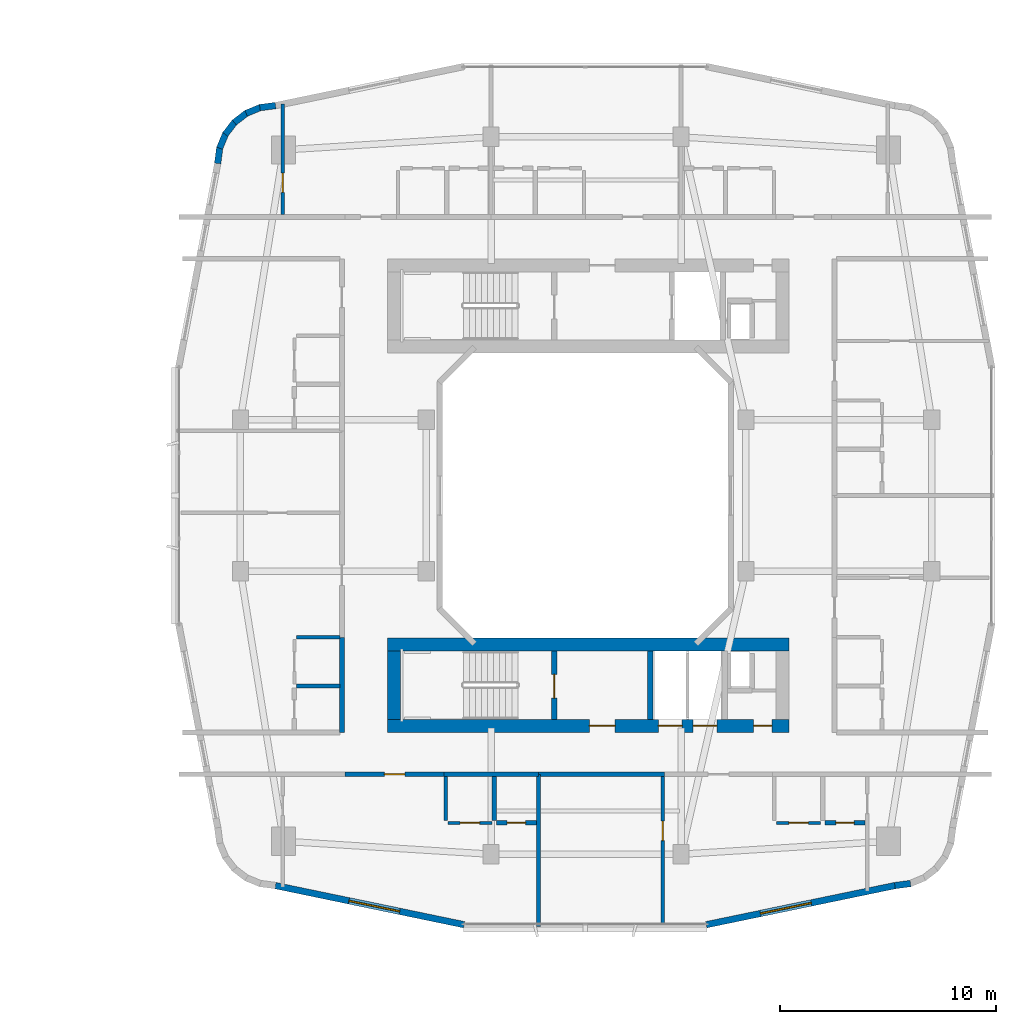
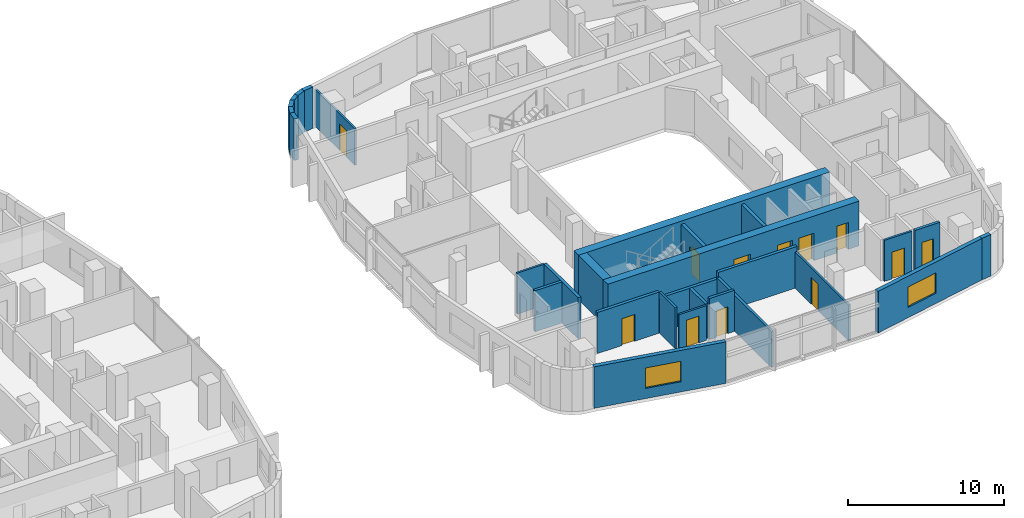
# One storey, part 18 of 27: 29 walls, 12 doors, 2 windows, 14 openings.
"""IFC4 building model written with IfcOpenShell, lengths in metres."""

from ifc_helpers import new_model, si_unit, derived_unit, direction, frame, frame_2d, origin, place, context, subcontext, project, spatial, rectangle, extrude, material, layer, layer_set, type_object, element, fill, save


model = new_model("IFC4")

# Units and contexts
model_context = context("Model", 3, precision=1e-05, world=origin(), true_north=direction((0.0, 1.0)))
body_context = subcontext(model_context, "Body", "Model", "MODEL_VIEW")
ifc_project = project(units=[si_unit("LENGTHUNIT", "METRE"), si_unit("AREAUNIT", "SQUARE_METRE"), si_unit("VOLUMEUNIT", "CUBIC_METRE"), si_unit("PLANEANGLEUNIT", "RADIAN"), si_unit("MASSUNIT", "GRAM", prefix="KILO"), derived_unit("THERMALTRANSMITTANCEUNIT", [(si_unit("POWERUNIT", "WATT"), 1), (si_unit("LENGTHUNIT", "METRE"), -2), (si_unit("THERMODYNAMICTEMPERATUREUNIT", "KELVIN"), -1)])], contexts=[model_context])

# Site, building, storey
site_placement = place(None, origin())
site = spatial("IfcSite", under=ifc_project, at=site_placement, CompositionType="ELEMENT")
building_placement = place(site_placement, origin())
building = spatial("IfcBuilding", under=site, at=building_placement, Name="Kivonza Crest Hotel", CompositionType="ELEMENT")
storey_placement = place(building_placement, frame((0.0, 0.0, 31.0)))
storey = spatial("IfcBuildingStorey", under=building, at=storey_placement, Name="L07", CompositionType="ELEMENT", Elevation=31.0)

# Walls
ifc_material_1 = material(Name="High-density acoustic masonry inter-tenancy wall", Category="masonry")
ifc_layer_1 = layer(ifc_material_1, 0.179931640625)
ifc_layer_set_1 = layer_set([ifc_layer_1], Name="High-density acoustic masonry inter-tenancy wall")
wall_type_1 = type_object("IfcWallType", Name="WL-ACOU-180", PredefinedType="SOLIDWALL", material=ifc_layer_set_1)
wall_1_placement = place(storey_placement, frame((74.800048828125, 5.06005859375, 0.0), z_axis=(0.0, 0.0, 1.0), x_axis=(0.0, 1.0, 0.0)))
element("IfcWall", 1, at=wall_1_placement, inside=storey, type_object=wall_type_1, Name="L07 interior partition WA-L07-T2S-DIV1", PredefinedType="SOLIDWALL", context=body_context, shape_type="SweptSolid", body=[
    extrude(rectangle(XDim=7.0400390625, YDim=0.179931640625, at=frame_2d((3.52001953125, 0.0))), origin(), (0.0, 0.0, 1.0), 2.824951171875),
])
ifc_material_2 = material(Name="Autoclaved aerated concrete blockwork", Category="masonry")
ifc_layer_2 = layer(ifc_material_2, 0.219970703125)
ifc_layer_set_2 = layer_set([ifc_layer_2], Name="Autoclaved aerated concrete blockwork")
wall_type_2 = type_object("IfcWallType", Name="WL-ACOU-220", PredefinedType="SOLIDWALL", material=ifc_layer_set_2)
wall_2_placement = place(storey_placement, frame((70.419921875, 12.10009765625, 0.0), z_axis=(0.0, 0.0, 1.0), x_axis=(1.0, 0.0, 0.0)))
element("IfcWall", 2, at=wall_2_placement, inside=storey, type_object=wall_type_2, Name="L07 interior partition WA-L07-A04-RCORR", PredefinedType="SOLIDWALL", context=body_context, shape_type="SweptSolid", body=[
    extrude(rectangle(XDim=4.380126953125, YDim=0.219970703125, at=frame_2d((2.18994140625, 0.0))), origin(), (0.0, 0.0, 1.0), 2.72509765625),
])

# Wall, opening, door
wall_3_placement = place(storey_placement, frame((65.85009765625, 12.10009765625, 0.0), z_axis=(0.0, 0.0, 1.0), x_axis=(1.0, 0.0, 0.0)))
wall_3 = element("IfcWall", 3, at=wall_3_placement, inside=storey, type_object=wall_type_2, Name="L07 interior partition WA-L07-A04-MCORR", PredefinedType="SOLIDWALL", context=body_context, shape_type="SweptSolid", body=[
    extrude(rectangle(XDim=4.56982421875, YDim=0.219970703125, at=frame_2d((2.284912109375, 0.0))), origin(), (0.0, 0.0, 1.0), 3.219970703125),
])
opening_1_placement = place(wall_3_placement, frame((1.81005859375, 0.0, 0.0)))
opening_1 = element("IfcOpeningElement", 4, at=opening_1_placement, cuts=wall_3, Name="Opening DU-60", PredefinedType="OPENING", context=body_context, shape_type="SweptSolid", body=[
    extrude(rectangle(XDim=0.949951171875, YDim=2.10009765625, at=frame_2d((0.47509765625, 1.050048828125))), frame((0.0, 0.1201171875, 0.0), z_axis=(0.0, -1.0, 0.0), x_axis=(1.0, 0.0, 0.0)), (0.0, 0.0, 1.0), 0.239990234375),
])
ifc_material_3 = material(Name="Hardwood timber oak", Category="wood")
door_type_1 = type_object("IfcDoorType", Name="DR-UNIT-950", OperationType="NOTDEFINED", PredefinedType="DOOR", material=ifc_material_3)
door_1_placement = place(opening_1_placement, frame((0.949951171875, 0.0, 0.0), z_axis=(0.0, 0.0, 1.0), x_axis=(-1.0, 0.0, 0.0)))
door_1 = element("IfcDoor", 5, at=door_1_placement, inside=storey, type_object=door_type_1, Name="L07 A04 apartment entrance fire door", OperationType="SINGLE_SWING_RIGHT", OverallHeight=2.10009765625, OverallWidth=0.949951171875, PredefinedType="DOOR", context=body_context, shape_type="SweptSolid", body=[
    extrude(rectangle(XDim=0.949951171875, YDim=2.10009765625, at=frame_2d((0.47509765625, 1.050048828125))), frame((0.0, 0.02490234375, 0.0), z_axis=(0.0, -1.0, 0.0), x_axis=(1.0, 0.0, 0.0)), (0.0, 0.0, 1.0), 0.050048828125),
])
fill(opening_1, door_1)

# Walls
wall_4_placement = place(storey_placement, frame((74.800048828125, 12.10009765625, 0.0), z_axis=(0.0, 0.0, 1.0), x_axis=(1.0, 0.0, 0.0)))
element("IfcWall", 6, at=wall_4_placement, inside=storey, type_object=wall_type_2, Name="L07 interior partition WA-L07-A05-LCORR", PredefinedType="SOLIDWALL", context=body_context, shape_type="SweptSolid", body=[
    extrude(rectangle(XDim=5.829833984375, YDim=0.219970703125, at=frame_2d((2.9150390625, 0.0))), origin(), (0.0, 0.0, 1.0), 3.219970703125),
])
wall_5_placement = place(storey_placement, frame((65.699951171875, 14.0400390625, 0.0), z_axis=(0.0, 0.0, 1.0), x_axis=(0.0, 1.0, 0.0)))
element("IfcWall", 7, at=wall_5_placement, inside=storey, type_object=wall_type_2, Name="L07 interior partition WA-L07-A06-BCORR", PredefinedType="SOLIDWALL", context=body_context, shape_type="SweptSolid", body=[
    extrude(rectangle(XDim=4.39990234375, YDim=0.219970703125, at=frame_2d((2.199951171875, 0.0))), origin(), (0.0, 0.0, 1.0), 3.219970703125),
])

# Wall, openings, doors
ifc_material_4 = material(Name="Concrete C60/75", Category="concrete")
ifc_layer_3 = layer(ifc_material_4, 0.60009765625)
ifc_layer_set_3 = layer_set([ifc_layer_3], Name="Concrete C60/75")
wall_type_3 = type_object("IfcWallType", Name="WL-CORE-600", PredefinedType="SHEAR", material=ifc_layer_set_3)
wall_6_placement = place(storey_placement, frame((67.800048828125, 14.340087890625, 0.0), z_axis=(0.0, 0.0, 1.0), x_axis=(1.0, 0.0, 0.0)))
wall_6 = element("IfcWall", 8, at=wall_6_placement, inside=storey, type_object=wall_type_3, Name="Core wall T2-S South L07", PredefinedType="SHEAR", context=body_context, shape_type="SweptSolid", body=[
    extrude(rectangle(XDim=18.599853515625, YDim=0.60009765625, at=frame_2d((9.2998046875, 0.0))), origin(), (0.0, 0.0, 1.0), 3.5),
])
opening_2_placement = place(wall_6_placement, frame((9.35009765625, 0.0, 0.0)))
opening_2 = element("IfcOpeningElement", 9, at=opening_2_placement, cuts=wall_6, Name="Opening DF-60", PredefinedType="OPENING", context=body_context, shape_type="SweptSolid", body=[
    extrude(rectangle(XDim=1.199951171875, YDim=2.14990234375, at=frame_2d((0.60009765625, 1.074951171875))), frame((0.0, 0.31005859375, 0.0), z_axis=(0.0, -1.0, 0.0), x_axis=(1.0, 0.0, 0.0)), (0.0, 0.0, 1.0), 0.6201171875),
])
opening_3_placement = place(wall_6_placement, frame((16.949951171875, 0.0, 0.0)))
opening_3 = element("IfcOpeningElement", 10, at=opening_3_placement, cuts=wall_6, Name="Opening DF-60R", PredefinedType="OPENING", context=body_context, shape_type="SweptSolid", body=[
    extrude(rectangle(XDim=0.85009765625, YDim=2.10009765625, at=frame_2d((0.425048828125, 1.050048828125))), frame((0.0, 0.31005859375, 0.0), z_axis=(0.0, -1.0, 0.0), x_axis=(1.0, 0.0, 0.0)), (0.0, 0.0, 1.0), 0.6201171875),
])
opening_4_placement = place(wall_6_placement, frame((12.550048828125, 0.0, 0.0)))
opening_4 = element("IfcOpeningElement", 11, at=opening_4_placement, cuts=wall_6, Name="Opening LD-120", PredefinedType="OPENING", context=body_context, shape_type="SweptSolid", body=[
    extrude(rectangle(XDim=1.10009765625, YDim=2.14990234375, at=frame_2d((0.550048828125, 1.074951171875))), frame((0.0, 0.31005859375, 0.0), z_axis=(0.0, -1.0, 0.0), x_axis=(1.0, 0.0, 0.0)), (0.0, 0.0, 1.0), 0.6201171875),
])
opening_5_placement = place(wall_6_placement, frame((14.14990234375, 0.0, 0.0)))
opening_5 = element("IfcOpeningElement", 12, at=opening_5_placement, cuts=wall_6, Name="Opening LD-120", PredefinedType="OPENING", context=body_context, shape_type="SweptSolid", body=[
    extrude(rectangle(XDim=1.10009765625, YDim=2.14990234375, at=frame_2d((0.550048828125, 1.074951171875))), frame((0.0, 0.31005859375, 0.0), z_axis=(0.0, -1.0, 0.0), x_axis=(1.0, 0.0, 0.0)), (0.0, 0.0, 1.0), 0.6201171875),
])
door_type_2 = type_object("IfcDoorType", Name="DR-FD60-1200", OperationType="NOTDEFINED", PredefinedType="DOOR", material=ifc_material_3)
door_2_placement = place(opening_2_placement, frame((1.199951171875, 0.0, 0.0), z_axis=(0.0, 0.0, 1.0), x_axis=(-1.0, 0.0, 0.0)))
door_2 = element("IfcDoor", 13, at=door_2_placement, inside=storey, type_object=door_type_2, Name="L07 T2-S firefighting lobby fire door", OperationType="SINGLE_SWING_LEFT", OverallHeight=2.14990234375, OverallWidth=1.199951171875, PredefinedType="DOOR", context=body_context, shape_type="SweptSolid", body=[
    extrude(rectangle(XDim=1.199951171875, YDim=2.14990234375, at=frame_2d((0.60009765625, 1.074951171875))), frame((0.0, 0.02490234375, 0.0), z_axis=(0.0, -1.0, 0.0), x_axis=(1.0, 0.0, 0.0)), (0.0, 0.0, 1.0), 0.050048828125),
])
fill(opening_2, door_2)
door_type_3 = type_object("IfcDoorType", Name="DR-FD60-850", OperationType="NOTDEFINED", PredefinedType="DOOR", material=ifc_material_3)
door_3_placement = place(opening_3_placement, frame((0.85009765625, 0.0, 0.0), z_axis=(0.0, 0.0, 1.0), x_axis=(-1.0, 0.0, 0.0)))
door_3 = element("IfcDoor", 14, at=door_3_placement, inside=storey, type_object=door_type_3, Name="L07 T2-S core room door", OperationType="SINGLE_SWING_RIGHT", OverallHeight=2.10009765625, OverallWidth=0.85009765625, PredefinedType="DOOR", context=body_context, shape_type="SweptSolid", body=[
    extrude(rectangle(XDim=0.85009765625, YDim=2.10009765625, at=frame_2d((0.425048828125, 1.050048828125))), frame((0.0, 0.02490234375, 0.0), z_axis=(0.0, -1.0, 0.0), x_axis=(1.0, 0.0, 0.0)), (0.0, 0.0, 1.0), 0.050048828125),
])
fill(opening_3, door_3)
ifc_material_5 = material(Name="Stainless steel", Category="steel")
door_type_4 = type_object("IfcDoorType", Name="DR-LD120-1100", OperationType="NOTDEFINED", PredefinedType="DOOR", material=ifc_material_5)
door_4_placement = place(opening_4_placement, frame((1.10009765625, 0.0, 0.0), z_axis=(0.0, 0.0, 1.0), x_axis=(-1.0, 0.0, 0.0)))
door_4 = element("IfcDoor", 15, at=door_4_placement, inside=storey, type_object=door_type_4, Name="L07 PL-T2-1 passenger lift sliding landing door", OperationType="DOUBLE_DOOR_SLIDING", OverallHeight=2.14990234375, OverallWidth=1.10009765625, PredefinedType="DOOR", context=body_context, shape_type="SweptSolid", body=[
    extrude(rectangle(XDim=1.10009765625, YDim=2.14990234375, at=frame_2d((0.550048828125, 1.074951171875))), frame((0.0, 0.02490234375, 0.0), z_axis=(0.0, -1.0, 0.0), x_axis=(1.0, 0.0, 0.0)), (0.0, 0.0, 1.0), 0.050048828125),
])
fill(opening_4, door_4)
door_5_placement = place(opening_5_placement, frame((1.10009765625, 0.0, 0.0), z_axis=(0.0, 0.0, 1.0), x_axis=(-1.0, 0.0, 0.0)))
door_5 = element("IfcDoor", 16, at=door_5_placement, inside=storey, type_object=door_type_4, Name="L07 PL-T2-2 passenger lift sliding landing door", OperationType="DOUBLE_DOOR_SLIDING", OverallHeight=2.14990234375, OverallWidth=1.10009765625, PredefinedType="DOOR", context=body_context, shape_type="SweptSolid", body=[
    extrude(rectangle(XDim=1.10009765625, YDim=2.14990234375, at=frame_2d((0.550048828125, 1.074951171875))), frame((0.0, 0.02490234375, 0.0), z_axis=(0.0, -1.0, 0.0), x_axis=(1.0, 0.0, 0.0)), (0.0, 0.0, 1.0), 0.050048828125),
])
fill(opening_5, door_5)

# Walls
wall_7_placement = place(storey_placement, frame((67.800048828125, 18.10009765625, 0.0), z_axis=(0.0, 0.0, 1.0), x_axis=(1.0, 0.0, 0.0)))
element("IfcWall", 17, at=wall_7_placement, inside=storey, type_object=wall_type_3, Name="Core wall T2-S North L07", PredefinedType="SHEAR", context=body_context, shape_type="SweptSolid", body=[
    extrude(rectangle(XDim=18.599853515625, YDim=0.60009765625, at=frame_2d((9.2998046875, 0.0))), origin(), (0.0, 0.0, 1.0), 3.5),
])
wall_8_placement = place(storey_placement, frame((68.10009765625, 14.639892578125, 0.0), z_axis=(0.0, 0.0, 1.0), x_axis=(0.0, 1.0, 0.0)))
element("IfcWall", 18, at=wall_8_placement, inside=storey, type_object=wall_type_3, Name="Core wall T2-S West L07", PredefinedType="SHEAR", context=body_context, shape_type="SweptSolid", body=[
    extrude(rectangle(XDim=3.16015625, YDim=0.60009765625, at=frame_2d((1.580078125, 0.0))), origin(), (0.0, 0.0, 1.0), 3.5),
])

# Wall, opening, window
ifc_material_6 = material(Name="Precast concrete C40/50", Category="concrete")
ifc_layer_4 = layer(ifc_material_6, 0.300048828125)
ifc_layer_set_4 = layer_set([ifc_layer_4], Name="Precast concrete C40/50")
wall_type_4 = type_object("IfcWallType", Name="WL-EXT-300", PredefinedType="STANDARD", material=ifc_layer_set_4)
wall_9_placement = place(storey_placement, frame((62.6220703125, 6.948974609375, 0.0), z_axis=(0.0, 0.0, 1.0), x_axis=(0.979127260729, -0.203248142175, 0.0)))
wall_9 = element("IfcWall", 19, at=wall_9_placement, inside=storey, type_object=wall_type_4, Name="L07 T2 exterior insulated wall 7", PredefinedType="STANDARD", context=body_context, shape_type="SweptSolid", body=[
    extrude(rectangle(XDim=8.920166015625, YDim=0.300048828125, at=frame_2d((4.4599609375, 0.0))), origin(), (0.0, 0.0, 1.0), 3.25),
])
opening_6_placement = place(wall_9_placement, frame((3.471923828125, 0.0, 0.800048828125)))
opening_6 = element("IfcOpeningElement", 20, at=opening_6_placement, cuts=wall_9, Name="Opening WN-05", PredefinedType="OPENING", context=body_context, shape_type="SweptSolid", body=[
    extrude(rectangle(XDim=2.39990234375, YDim=1.60009765625, at=frame_2d((1.199951171875, 0.800048828125))), frame((0.0, 0.16015625, 0.0), z_axis=(0.0, -1.0, 0.0), x_axis=(1.0, 0.0, 0.0)), (0.0, 0.0, 1.0), 0.320068359375),
])
ifc_material_7 = material(Name="Thermally broken bronze aluminium and low-E double glazing", Category="aluminium")
window_type = type_object("IfcWindowType", Name="WN-240x160", PartitioningType="TRIPLE_PANEL_VERTICAL", PredefinedType="WINDOW", material=ifc_material_7)
window_1_placement = place(opening_6_placement, origin())
window_1 = element("IfcWindow", 21, at=window_1_placement, inside=storey, type_object=window_type, Name="L07 T2 facade window 7", OverallHeight=1.60009765625, OverallWidth=2.39990234375, PartitioningType="SINGLE_PANEL", PredefinedType="WINDOW", context=body_context, shape_type="SweptSolid", body=[
    extrude(rectangle(XDim=2.39990234375, YDim=1.60009765625, at=frame_2d((1.199951171875, 0.800048828125))), frame((0.0, 0.030029296875, 0.0), z_axis=(0.0, -1.0, 0.0), x_axis=(1.0, 0.0, 0.0)), (0.0, 0.0, 1.0), 0.06005859375),
])
fill(opening_6, window_1)

wall_10_placement = place(storey_placement, frame((82.56396484375, 5.135986328125, 0.0), z_axis=(0.0, 0.0, 1.0), x_axis=(0.979128391325, 0.203242695569, 0.0)))
wall_10 = element("IfcWall", 22, at=wall_10_placement, inside=storey, type_object=wall_type_4, Name="L07 T2 exterior insulated wall 9", PredefinedType="STANDARD", context=body_context, shape_type="SweptSolid", body=[
    extrude(rectangle(XDim=8.92041015625, YDim=0.300048828125, at=frame_2d((4.460205078125, 0.0))), origin(), (0.0, 0.0, 1.0), 3.25),
])
opening_7_placement = place(wall_10_placement, frame((2.56298828125, 0.0, 0.800048828125)))
opening_7 = element("IfcOpeningElement", 23, at=opening_7_placement, cuts=wall_10, Name="Opening WN-05", PredefinedType="OPENING", context=body_context, shape_type="SweptSolid", body=[
    extrude(rectangle(XDim=2.39990234375, YDim=1.60009765625, at=frame_2d((1.199951171875, 0.800048828125))), frame((0.0, 0.16015625, 0.0), z_axis=(0.0, -1.0, 0.0), x_axis=(1.0, 0.0, 0.0)), (0.0, 0.0, 1.0), 0.320068359375),
])
window_2_placement = place(opening_7_placement, origin())
window_2 = element("IfcWindow", 24, at=window_2_placement, inside=storey, type_object=window_type, Name="L07 T2 facade window 9", OverallHeight=1.60009765625, OverallWidth=2.39990234375, PartitioningType="SINGLE_PANEL", PredefinedType="WINDOW", context=body_context, shape_type="SweptSolid", body=[
    extrude(rectangle(XDim=2.39990234375, YDim=1.60009765625, at=frame_2d((1.199951171875, 0.800048828125))), frame((0.0, 0.030029296875, 0.0), z_axis=(0.0, -1.0, 0.0), x_axis=(1.0, 0.0, 0.0)), (0.0, 0.0, 1.0), 0.06005859375),
])
fill(opening_7, window_2)

# Walls
wall_11_placement = place(storey_placement, frame((91.29296875, 6.947998046875, 0.0), z_axis=(0.0, 0.0, 1.0), x_axis=(0.991486167159, 0.13021205909, 0.0)))
element("IfcWall", 25, at=wall_11_placement, inside=storey, type_object=wall_type_4, Name="L07 T2 exterior insulated wall 10", PredefinedType="STANDARD", context=body_context, shape_type="SweptSolid", body=[
    extrude(rectangle(XDim=0.729248046875, YDim=0.300048828125, at=frame_2d((0.36474609375, 0.0))), origin(), (0.0, 0.0, 1.0), 3.25),
])
wall_12_placement = place(storey_placement, frame((62.626953125, 43.052001953125, 0.0), z_axis=(0.0, 0.0, 1.0), x_axis=(-0.991480488834, -0.130255288807, 0.0)))
element("IfcWall", 26, at=wall_12_placement, inside=storey, type_object=wall_type_4, Name="L07 T2 exterior insulated wall 28", PredefinedType="STANDARD", context=body_context, shape_type="SweptSolid", body=[
    extrude(rectangle(XDim=0.72900390625, YDim=0.300048828125, at=frame_2d((0.364501953125, 0.0))), origin(), (0.0, 0.0, 1.0), 3.25),
])
for number, where, z_axis, x_axis, name in (
    (27, (61.955078125, 42.97607421875, 0.0), (0.0, 0.0, 1.0), (-0.923521684703, -0.383546213491, 0.0), "L07 T2 exterior insulated wall 29"),
    (28, (61.31103515625, 42.720947265625, 0.0), (0.0, 0.0, 1.0), (-0.79363269798, -0.608397189915, 0.0), "L07 T2 exterior insulated wall 30"),
    (29, (60.75390625, 42.30908203125, 0.0), (0.0, 0.0, 1.0), (-0.608397189915, -0.79363269798, 0.0), "L07 T2 exterior insulated wall 31"),
    (30, (60.323974609375, 41.76611328125, 0.0), (0.0, 0.0, 1.0), (-0.383151213466, -0.923685632463, 0.0), "L07 T2 exterior insulated wall 32"),
):
    element("IfcWall", number, at=place(storey_placement, frame(where, z_axis=z_axis, x_axis=x_axis)), inside=storey, type_object=wall_type_4, Name=name, PredefinedType="STANDARD", context=body_context, shape_type="SweptSolid", body=[
        extrude(rectangle(XDim=0.74609375, YDim=0.300048828125, at=frame_2d((0.373046875, 0.0))), origin(), (0.0, 0.0, 1.0), 3.25),
    ])
wall_13_placement = place(storey_placement, frame((60.047119140625, 41.131103515625, 0.0), z_axis=(0.0, 0.0, 1.0), x_axis=(-0.129653178221, -0.991559404866, 0.0)))
element("IfcWall", 31, at=wall_13_placement, inside=storey, type_object=wall_type_4, Name="L07 T2 exterior insulated wall 33", PredefinedType="STANDARD", context=body_context, shape_type="SweptSolid", body=[
    extrude(rectangle(XDim=0.764404296875, YDim=0.300048828125, at=frame_2d((0.38232421875, 0.0))), origin(), (0.0, 0.0, 1.0), 3.25),
])

# Wall, opening, door
ifc_material_8 = material(Name="Twin-stud acoustic gypsum board partition", Category="gypsum")
ifc_layer_5 = layer(ifc_material_8, 0.14990234375)
ifc_layer_set_5 = layer_set([ifc_layer_5], Name="Twin-stud acoustic gypsum board partition")
wall_type_5 = type_object("IfcWallType", Name="WL-PART-150", PredefinedType="PARTITIONING", material=ifc_layer_set_5)
wall_14_placement = place(storey_placement, frame((62.9599609375, 38.0, 0.0), z_axis=(0.0, 0.0, 1.0), x_axis=(0.0, 1.0, 0.0)))
wall_14 = element("IfcWall", 32, at=wall_14_placement, inside=storey, type_object=wall_type_5, Name="L07 interior partition WP-L07-A01-BDW1", PredefinedType="PARTITIONING", context=body_context, shape_type="SweptSolid", body=[
    extrude(rectangle(XDim=5.113037109375, YDim=0.14990234375, at=frame_2d((2.556640625, 0.0))), origin(), (0.0, 0.0, 1.0), 2.864990234375),
])
opening_8_placement = place(wall_14_placement, frame((1.030029296875, 0.0, 0.0)))
opening_8 = element("IfcOpeningElement", 33, at=opening_8_placement, cuts=wall_14, Name="Opening DI-90", PredefinedType="OPENING", context=body_context, shape_type="SweptSolid", body=[
    extrude(rectangle(XDim=0.89990234375, YDim=2.10009765625, at=frame_2d((0.449951171875, 1.050048828125))), frame((0.0, 0.0849609375, 0.0), z_axis=(0.0, -1.0, 0.0), x_axis=(1.0, 0.0, 0.0)), (0.0, 0.0, 1.0), 0.169921875),
])
door_type_5 = type_object("IfcDoorType", Name="DR-INT-900", OperationType="NOTDEFINED", PredefinedType="DOOR", material=ifc_material_3)
door_6_placement = place(opening_8_placement, origin())
door_6 = element("IfcDoor", 34, at=door_6_placement, inside=storey, type_object=door_type_5, Name="L07 A01 bedroom 1 door", OperationType="SINGLE_SWING_RIGHT", OverallHeight=2.10009765625, OverallWidth=0.89990234375, PredefinedType="DOOR", context=body_context, shape_type="SweptSolid", body=[
    extrude(rectangle(XDim=0.89990234375, YDim=2.10009765625, at=frame_2d((0.449951171875, 1.050048828125))), frame((0.0, 0.02490234375, 0.0), z_axis=(0.0, -1.0, 0.0), x_axis=(1.0, 0.0, 0.0)), (0.0, 0.0, 1.0), 0.050048828125),
])
fill(opening_8, door_6)

# Wall
wall_15_placement = place(storey_placement, frame((70.5, 9.949951171875, 0.0), z_axis=(0.0, 0.0, 1.0), x_axis=(0.0, 1.0, 0.0)))
element("IfcWall", 35, at=wall_15_placement, inside=storey, type_object=wall_type_5, Name="L07 interior partition WP-L07-A04-KF", PredefinedType="PARTITIONING", context=body_context, shape_type="SweptSolid", body=[
    extrude(rectangle(XDim=2.050048828125, YDim=0.14990234375, at=frame_2d((1.02490234375, 0.0))), origin(), (0.0, 0.0, 1.0), 3.219970703125),
])

# Wall, opening, door
wall_16_placement = place(storey_placement, frame((70.60009765625, 9.85009765625, 0.0), z_axis=(0.0, 0.0, 1.0), x_axis=(1.0, 0.0, 0.0)))
wall_16 = element("IfcWall", 36, at=wall_16_placement, inside=storey, type_object=wall_type_5, Name="L07 interior partition WP-L07-A04-KSVC", PredefinedType="PARTITIONING", context=body_context, shape_type="SweptSolid", body=[
    extrude(rectangle(XDim=2.0498046875, YDim=0.14990234375, at=frame_2d((1.02490234375, 0.0))), origin(), (0.0, 0.0, 1.0), 2.72509765625),
])
opening_9_placement = place(wall_16_placement, frame((0.574951171875, 0.0, 0.0)))
opening_9 = element("IfcOpeningElement", 37, at=opening_9_placement, cuts=wall_16, Name="Opening DI-90", PredefinedType="OPENING", context=body_context, shape_type="SweptSolid", body=[
    extrude(rectangle(XDim=0.89990234375, YDim=2.10009765625, at=frame_2d((0.449951171875, 1.050048828125))), frame((0.0, 0.0849609375, 0.0), z_axis=(0.0, -1.0, 0.0), x_axis=(1.0, 0.0, 0.0)), (0.0, 0.0, 1.0), 0.169921875),
])
door_7_placement = place(opening_9_placement, frame((0.89990234375, 0.0, 0.0), z_axis=(0.0, 0.0, 1.0), x_axis=(-1.0, 0.0, 0.0)))
door_7 = element("IfcDoor", 38, at=door_7_placement, inside=storey, type_object=door_type_5, Name="L07 A04 apartment kitchen door", OperationType="SINGLE_SWING_RIGHT", OverallHeight=2.10009765625, OverallWidth=0.89990234375, PredefinedType="DOOR", context=body_context, shape_type="SweptSolid", body=[
    extrude(rectangle(XDim=0.89990234375, YDim=2.10009765625, at=frame_2d((0.449951171875, 1.050048828125))), frame((0.0, 0.02490234375, 0.0), z_axis=(0.0, -1.0, 0.0), x_axis=(1.0, 0.0, 0.0)), (0.0, 0.0, 1.0), 0.050048828125),
])
fill(opening_9, door_7)

wall_17_placement = place(storey_placement, frame((80.550048828125, 5.159912109375, 0.0), z_axis=(0.0, 0.0, 1.0), x_axis=(0.0, 1.0, 0.0)))
wall_17 = element("IfcWall", 39, at=wall_17_placement, inside=storey, type_object=wall_type_5, Name="L07 interior partition WP-L07-A05-BDW1", PredefinedType="PARTITIONING", context=body_context, shape_type="SweptSolid", body=[
    extrude(rectangle(XDim=6.840087890625, YDim=0.14990234375, at=frame_2d((3.419921875, 0.0))), origin(), (0.0, 0.0, 1.0), 2.824951171875),
])
opening_10_placement = place(wall_17_placement, frame((3.8701171875, 0.0, 0.0)))
opening_10 = element("IfcOpeningElement", 40, at=opening_10_placement, cuts=wall_17, Name="Opening DI-90", PredefinedType="OPENING", context=body_context, shape_type="SweptSolid", body=[
    extrude(rectangle(XDim=0.89990234375, YDim=2.10009765625, at=frame_2d((0.449951171875, 1.050048828125))), frame((0.0, 0.0849609375, 0.0), z_axis=(0.0, -1.0, 0.0), x_axis=(1.0, 0.0, 0.0)), (0.0, 0.0, 1.0), 0.169921875),
])
door_8_placement = place(opening_10_placement, origin())
door_8 = element("IfcDoor", 41, at=door_8_placement, inside=storey, type_object=door_type_5, Name="L07 A05 bedroom 1 door", OperationType="SINGLE_SWING_RIGHT", OverallHeight=2.10009765625, OverallWidth=0.89990234375, PredefinedType="DOOR", context=body_context, shape_type="SweptSolid", body=[
    extrude(rectangle(XDim=0.89990234375, YDim=2.10009765625, at=frame_2d((0.449951171875, 1.050048828125))), frame((0.0, 0.02490234375, 0.0), z_axis=(0.0, -1.0, 0.0), x_axis=(1.0, 0.0, 0.0)), (0.0, 0.0, 1.0), 0.050048828125),
])
fill(opening_10, door_8)

wall_18_placement = place(storey_placement, frame((85.81005859375, 9.85009765625, 0.0), z_axis=(0.0, 0.0, 1.0), x_axis=(1.0, 0.0, 0.0)))
wall_18 = element("IfcWall", 42, at=wall_18_placement, inside=storey, type_object=wall_type_5, Name="L07 interior partition WP-L07-A05-KSVC", PredefinedType="PARTITIONING", context=body_context, shape_type="SweptSolid", body=[
    extrude(rectangle(XDim=2.050048828125, YDim=0.14990234375, at=frame_2d((1.02490234375, 0.0))), origin(), (0.0, 0.0, 1.0), 3.219970703125),
])
opening_11_placement = place(wall_18_placement, frame((0.574951171875, 0.0, 0.0)))
opening_11 = element("IfcOpeningElement", 43, at=opening_11_placement, cuts=wall_18, Name="Opening DI-90", PredefinedType="OPENING", context=body_context, shape_type="SweptSolid", body=[
    extrude(rectangle(XDim=0.89990234375, YDim=2.10009765625, at=frame_2d((0.449951171875, 1.050048828125))), frame((0.0, 0.0849609375, 0.0), z_axis=(0.0, -1.0, 0.0), x_axis=(1.0, 0.0, 0.0)), (0.0, 0.0, 1.0), 0.169921875),
])
door_9_placement = place(opening_11_placement, frame((0.89990234375, 0.0, 0.0), z_axis=(0.0, 0.0, 1.0), x_axis=(-1.0, 0.0, 0.0)))
door_9 = element("IfcDoor", 44, at=door_9_placement, inside=storey, type_object=door_type_5, Name="L07 A05 apartment kitchen door", OperationType="SINGLE_SWING_LEFT", OverallHeight=2.10009765625, OverallWidth=0.89990234375, PredefinedType="DOOR", context=body_context, shape_type="SweptSolid", body=[
    extrude(rectangle(XDim=0.89990234375, YDim=2.10009765625, at=frame_2d((0.449951171875, 1.050048828125))), frame((0.0, 0.02490234375, 0.0), z_axis=(0.0, -1.0, 0.0), x_axis=(1.0, 0.0, 0.0)), (0.0, 0.0, 1.0), 0.050048828125),
])
fill(opening_11, door_9)

# Walls
wall_19_placement = place(storey_placement, frame((63.60009765625, 18.43994140625, 0.0), z_axis=(0.0, 0.0, 1.0), x_axis=(1.0, 0.0, 0.0)))
element("IfcWall", 45, at=wall_19_placement, inside=storey, type_object=wall_type_5, Name="L07 interior partition WP-L07-A06-KF", PredefinedType="PARTITIONING", context=body_context, shape_type="SweptSolid", body=[
    extrude(rectangle(XDim=2.0, YDim=0.14990234375, at=frame_2d((1.0, 0.0))), origin(), (0.0, 0.0, 1.0), 3.219970703125),
])
ifc_material_9 = material(Name="Moisture-resistant plumbing chase partition wall", Category="gypsum")
ifc_layer_6 = layer(ifc_material_9, 0.199951171875)
ifc_layer_set_6 = layer_set([ifc_layer_6], Name="Moisture-resistant plumbing chase partition wall")
wall_type_6 = type_object("IfcWallType", Name="WL-PLUMB-200", PredefinedType="PLUMBINGWALL", material=ifc_layer_set_6)
wall_20_placement = place(storey_placement, frame((72.75, 9.949951171875, 0.0), z_axis=(0.0, 0.0, 1.0), x_axis=(0.0, 1.0, 0.0)))
element("IfcWall", 46, at=wall_20_placement, inside=storey, type_object=wall_type_6, Name="L07 interior partition WW-L07-A04-BK", PredefinedType="PLUMBINGWALL", context=body_context, shape_type="SweptSolid", body=[
    extrude(rectangle(XDim=2.050048828125, YDim=0.199951171875, at=frame_2d((1.02490234375, 0.0))), origin(), (0.0, 0.0, 1.0), 2.72509765625),
])

# Wall, opening, door
wall_21_placement = place(storey_placement, frame((72.85009765625, 9.85009765625, 0.0), z_axis=(0.0, 0.0, 1.0), x_axis=(1.0, 0.0, 0.0)))
wall_21 = element("IfcWall", 47, at=wall_21_placement, inside=storey, type_object=wall_type_6, Name="L07 interior partition WW-L07-A04-BSVC", PredefinedType="PLUMBINGWALL", context=body_context, shape_type="SweptSolid", body=[
    extrude(rectangle(XDim=1.849853515625, YDim=0.199951171875, at=frame_2d((0.9248046875, 0.0))), origin(), (0.0, 0.0, 1.0), 3.219970703125),
])
opening_12_placement = place(wall_21_placement, frame((0.5, 0.0, 0.0)))
opening_12 = element("IfcOpeningElement", 48, at=opening_12_placement, cuts=wall_21, Name="Opening DI-85", PredefinedType="OPENING", context=body_context, shape_type="SweptSolid", body=[
    extrude(rectangle(XDim=0.85009765625, YDim=2.10009765625, at=frame_2d((0.425048828125, 1.050048828125))), frame((0.0, 0.10986328125, 0.0), z_axis=(0.0, -1.0, 0.0), x_axis=(1.0, 0.0, 0.0)), (0.0, 0.0, 1.0), 0.219970703125),
])
door_type_6 = type_object("IfcDoorType", Name="DR-INT-850", OperationType="NOTDEFINED", PredefinedType="DOOR", material=ifc_material_3)
door_10_placement = place(opening_12_placement, frame((0.85009765625, 0.0, 0.0), z_axis=(0.0, 0.0, 1.0), x_axis=(-1.0, 0.0, 0.0)))
door_10 = element("IfcDoor", 49, at=door_10_placement, inside=storey, type_object=door_type_6, Name="L07 A04 apartment bathroom door", OperationType="SINGLE_SWING_LEFT", OverallHeight=2.10009765625, OverallWidth=0.85009765625, PredefinedType="DOOR", context=body_context, shape_type="SweptSolid", body=[
    extrude(rectangle(XDim=0.85009765625, YDim=2.10009765625, at=frame_2d((0.425048828125, 1.050048828125))), frame((0.0, 0.02490234375, 0.0), z_axis=(0.0, -1.0, 0.0), x_axis=(1.0, 0.0, 0.0)), (0.0, 0.0, 1.0), 0.050048828125),
])
fill(opening_12, door_10)

wall_22_placement = place(storey_placement, frame((88.06005859375, 9.85009765625, 0.0), z_axis=(0.0, 0.0, 1.0), x_axis=(1.0, 0.0, 0.0)))
wall_22 = element("IfcWall", 50, at=wall_22_placement, inside=storey, type_object=wall_type_6, Name="L07 interior partition WW-L07-A05-BSVC", PredefinedType="PLUMBINGWALL", context=body_context, shape_type="SweptSolid", body=[
    extrude(rectangle(XDim=1.849853515625, YDim=0.199951171875, at=frame_2d((0.9248046875, 0.0))), origin(), (0.0, 0.0, 1.0), 3.219970703125),
])
opening_13_placement = place(wall_22_placement, frame((0.5, 0.0, 0.0)))
opening_13 = element("IfcOpeningElement", 51, at=opening_13_placement, cuts=wall_22, Name="Opening DI-85", PredefinedType="OPENING", context=body_context, shape_type="SweptSolid", body=[
    extrude(rectangle(XDim=0.85009765625, YDim=2.10009765625, at=frame_2d((0.425048828125, 1.050048828125))), frame((0.0, 0.10986328125, 0.0), z_axis=(0.0, -1.0, 0.0), x_axis=(1.0, 0.0, 0.0)), (0.0, 0.0, 1.0), 0.219970703125),
])
door_11_placement = place(opening_13_placement, frame((0.85009765625, 0.0, 0.0), z_axis=(0.0, 0.0, 1.0), x_axis=(-1.0, 0.0, 0.0)))
door_11 = element("IfcDoor", 52, at=door_11_placement, inside=storey, type_object=door_type_6, Name="L07 A05 apartment bathroom door", OperationType="SINGLE_SWING_RIGHT", OverallHeight=2.10009765625, OverallWidth=0.85009765625, PredefinedType="DOOR", context=body_context, shape_type="SweptSolid", body=[
    extrude(rectangle(XDim=0.85009765625, YDim=2.10009765625, at=frame_2d((0.425048828125, 1.050048828125))), frame((0.0, 0.02490234375, 0.0), z_axis=(0.0, -1.0, 0.0), x_axis=(1.0, 0.0, 0.0)), (0.0, 0.0, 1.0), 0.050048828125),
])
fill(opening_13, door_11)

# Wall
wall_23_placement = place(storey_placement, frame((63.60009765625, 16.18994140625, 0.0), z_axis=(0.0, 0.0, 1.0), x_axis=(1.0, 0.0, 0.0)))
element("IfcWall", 53, at=wall_23_placement, inside=storey, type_object=wall_type_6, Name="L07 interior partition WW-L07-A06-BK", PredefinedType="PLUMBINGWALL", context=body_context, shape_type="SweptSolid", body=[
    extrude(rectangle(XDim=2.0, YDim=0.199951171875, at=frame_2d((1.0, 0.0))), origin(), (0.0, 0.0, 1.0), 3.219970703125),
])

# Wall, opening, door
ifc_material_10 = material(Name="Concrete C50/60", Category="concrete")
ifc_layer_7 = layer(ifc_material_10, 0.25)
ifc_layer_set_7 = layer_set([ifc_layer_7], Name="Concrete C50/60")
wall_type_7 = type_object("IfcWallType", Name="WL-SHAFT-250", PredefinedType="STANDARD", material=ifc_layer_set_7)
wall_24_placement = place(storey_placement, frame((75.52490234375, 14.639892578125, 0.0), z_axis=(0.0, 0.0, 1.0), x_axis=(0.0, 1.0, 0.0)))
wall_24 = element("IfcWall", 54, at=wall_24_placement, inside=storey, type_object=wall_type_7, Name="Core shaft wall T2-S STAIR L07", PredefinedType="STANDARD", context=body_context, shape_type="SweptSolid", body=[
    extrude(rectangle(XDim=3.16015625, YDim=0.25, at=frame_2d((1.580078125, 0.0))), origin(), (0.0, 0.0, 1.0), 3.25),
])
opening_14_placement = place(wall_24_placement, frame((0.97998046875, 0.0, 0.0)))
opening_14 = element("IfcOpeningElement", 55, at=opening_14_placement, cuts=wall_24, Name="Opening DF-120", PredefinedType="OPENING", context=body_context, shape_type="SweptSolid", body=[
    extrude(rectangle(XDim=1.10009765625, YDim=2.14990234375, at=frame_2d((0.550048828125, 1.074951171875))), frame((0.0, 0.135009765625, 0.0), z_axis=(0.0, -1.0, 0.0), x_axis=(1.0, 0.0, 0.0)), (0.0, 0.0, 1.0), 0.27001953125),
])
ifc_material_11 = material(Name="Galvanised steel", Category="steel")
door_type_7 = type_object("IfcDoorType", Name="DR-FD120-1100", OperationType="NOTDEFINED", PredefinedType="DOOR", material=ifc_material_11)
door_12_placement = place(opening_14_placement, frame((1.10009765625, 0.0, 0.0), z_axis=(0.0, 0.0, 1.0), x_axis=(-1.0, 0.0, 0.0)))
door_12 = element("IfcDoor", 56, at=door_12_placement, inside=storey, type_object=door_type_7, Name="L07 T2-S stair fire door", OperationType="SINGLE_SWING_RIGHT", OverallHeight=2.14990234375, OverallWidth=1.10009765625, PredefinedType="DOOR", context=body_context, shape_type="SweptSolid", body=[
    extrude(rectangle(XDim=1.10009765625, YDim=2.14990234375, at=frame_2d((0.550048828125, 1.074951171875))), frame((0.0, 0.02490234375, 0.0), z_axis=(0.0, -1.0, 0.0), x_axis=(1.0, 0.0, 0.0)), (0.0, 0.0, 1.0), 0.050048828125),
])
fill(opening_14, door_12)

# Wall
wall_25_placement = place(storey_placement, frame((79.97509765625, 14.639892578125, 0.0), z_axis=(0.0, 0.0, 1.0), x_axis=(0.0, 1.0, 0.0)))
element("IfcWall", 57, at=wall_25_placement, inside=storey, type_object=wall_type_7, Name="Core shaft wall T2-S BANK-W L07", PredefinedType="STANDARD", context=body_context, shape_type="SweptSolid", body=[
    extrude(rectangle(XDim=3.16015625, YDim=0.25, at=frame_2d((1.580078125, 0.0))), origin(), (0.0, 0.0, 1.0), 3.25),
])

save(model, "model.ifc")
